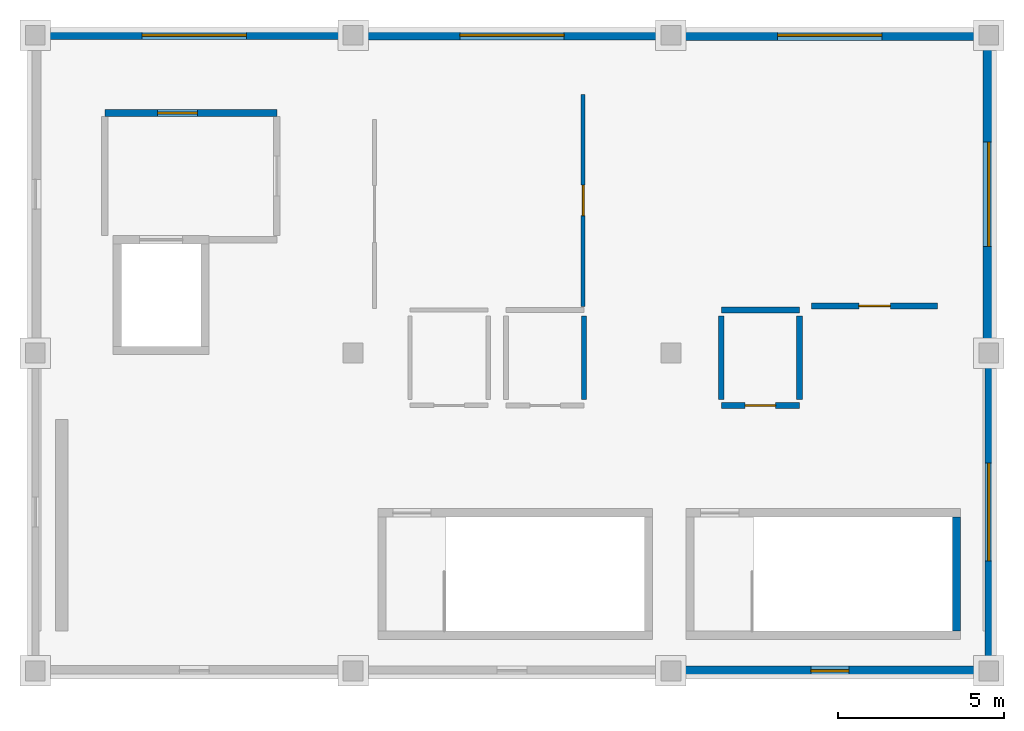
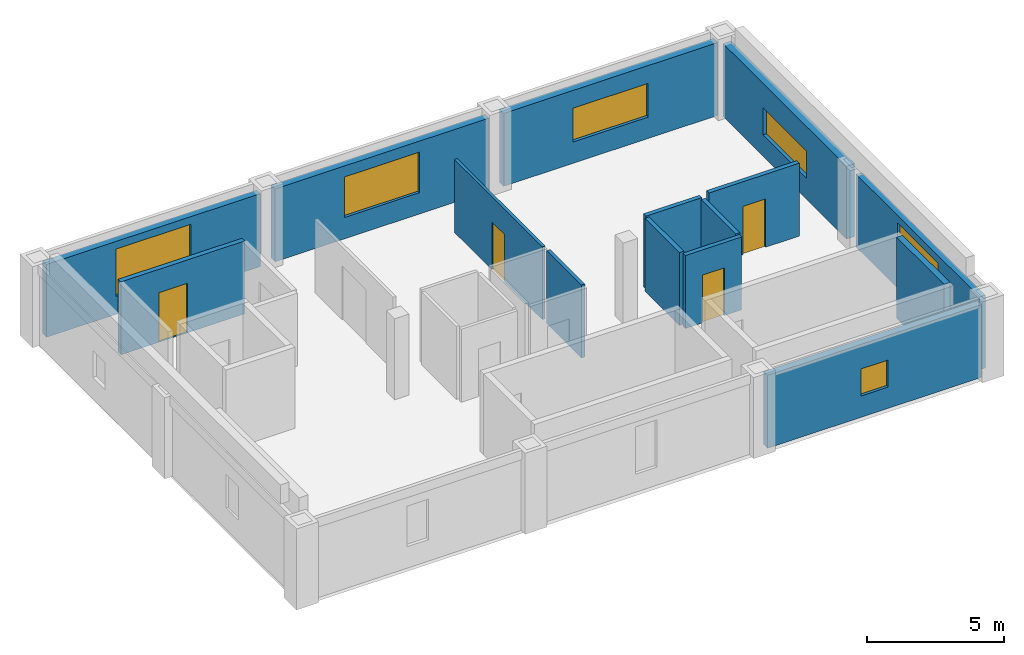
# One storey, part 2 of 3: 15 walls, 6 windows, 4 doors, 10 openings.
"""IFC4 building model written with IfcOpenShell, lengths in metres."""

from ifc_helpers import new_model, si_unit, direction, frame, frame_2d, origin, place, context, subcontext, project, spatial, rectangle, extrude, material, layer, layer_set, type_object, element, fill, save


model = new_model("IFC4")

# Units and contexts
model_context = context("Model", 3, precision=1e-05, world=origin(), true_north=direction((0.0, 1.0)))
body_context = subcontext(model_context, "Body", "Model", "MODEL_VIEW")
ifc_project = project(units=[si_unit("LENGTHUNIT", "METRE"), si_unit("AREAUNIT", "SQUARE_METRE"), si_unit("VOLUMEUNIT", "CUBIC_METRE"), si_unit("PLANEANGLEUNIT", "RADIAN"), si_unit("MASSUNIT", "GRAM", prefix="KILO")], contexts=[model_context])

# Site, building, storey
site_placement = place(None, origin())
site = spatial("IfcSite", under=ifc_project, at=site_placement, CompositionType="ELEMENT")
building_placement = place(site_placement, origin())
building = spatial("IfcBuilding", under=site, at=building_placement, Name="Mavantir Sound Aquarium", CompositionType="ELEMENT")
storey_placement = place(building_placement, frame((0.0, 0.0, 23.39990234375)))
storey = spatial("IfcBuildingStorey", under=building, at=storey_placement, Name="L05", CompositionType="ELEMENT", Elevation=23.39990234375)

# Wall, opening, window
ifc_material_1 = material(Name="Coral-Buff Architectural Precast Concrete C40/50", Category="concrete")
ifc_layer_1 = layer(ifc_material_1, 0.31005859375, Name="Coral-Buff Architectural Precast Concrete C40/50")
ifc_layer_set_1 = layer_set([ifc_layer_1], Name="Coral-Buff Architectural Precast Concrete C40/50")
wall_type_1 = type_object("IfcWallType", Name="EW-CORAL-310", PredefinedType="SOLIDWALL", material=ifc_layer_set_1)
wall_1_placement = place(storey_placement, frame((28.491943359375, 102.800048828125, 0.0), z_axis=(0.0, 0.0, 1.0), x_axis=(-1.0, 0.0, 0.0)))
wall_1 = element("IfcWall", 1, at=wall_1_placement, inside=storey, type_object=wall_type_1, Name="L05 exterior facade wall EW-02 398", PredefinedType="SOLIDWALL", context=body_context, shape_type="SweptSolid", body=[
    extrude(rectangle(XDim=8.98388671875, YDim=0.31005859375, at=frame_2d((4.491943359375, 0.0))), origin(), (0.0, 0.0, 1.0), 3.238525390625),
])
opening_1_placement = place(wall_1_placement, frame((2.9169921875, 0.0, 0.949951171875)))
opening_1 = element("IfcOpeningElement", 2, at=opening_1_placement, cuts=wall_1, Name="Opening W-46", PredefinedType="OPENING", context=body_context, shape_type="SweptSolid", body=[
    extrude(rectangle(XDim=3.14990234375, YDim=1.5, at=frame_2d((1.574951171875, 0.75))), frame((0.0, 0.1650390625, 0.0), z_axis=(0.0, -1.0, 0.0), x_axis=(1.0, 0.0, 0.0)), (0.0, 0.0, 1.0), 0.330078125),
])
ifc_material_2 = material(Name="Thermally Broken Aluminium and Low-E Glass", Category="aluminium")
window_type_1 = type_object("IfcWindowType", Name="WIN-EXT-46", PartitioningType="TRIPLE_PANEL_VERTICAL", PredefinedType="WINDOW", material=ifc_material_2)
window_1_placement = place(opening_1_placement, origin())
window_1 = element("IfcWindow", 3, at=window_1_placement, inside=storey, type_object=window_type_1, Name="L05 facade window W-46 190", OverallHeight=1.5, OverallWidth=3.14990234375, PartitioningType="SINGLE_PANEL", PredefinedType="WINDOW", context=body_context, shape_type="SweptSolid", body=[
    extrude(rectangle(XDim=3.14990234375, YDim=1.5, at=frame_2d((1.574951171875, 0.75))), frame((0.0, 0.030029296875, 0.0), z_axis=(0.0, -1.0, 0.0), x_axis=(1.0, 0.0, 0.0)), (0.0, 0.0, 1.0), 0.06005859375),
])
fill(opening_1, window_1)

ifc_layer_2 = layer(ifc_material_1, 0.340087890625, Name="Coral-Buff Architectural Precast Concrete C40/50")
ifc_layer_set_2 = layer_set([ifc_layer_2], Name="Coral-Buff Architectural Precast Concrete C40/50")
wall_type_2 = type_object("IfcWallType", Name="EW-CORAL-340", PredefinedType="SOLIDWALL", material=ifc_layer_set_2)
wall_2_placement = place(storey_placement, frame((28.800048828125, 93.508056640625, 0.0), z_axis=(0.0, 0.0, 1.0), x_axis=(0.0, 1.0, 0.0)))
wall_2 = element("IfcWall", 4, at=wall_2_placement, inside=storey, type_object=wall_type_2, Name="L05 exterior facade wall EW-01 397", PredefinedType="SOLIDWALL", context=body_context, shape_type="SweptSolid", body=[
    extrude(rectangle(XDim=8.98388671875, YDim=0.340087890625, at=frame_2d((4.491943359375, 0.0))), origin(), (0.0, 0.0, 1.0), 3.238525390625),
])
opening_2_placement = place(wall_2_placement, frame((2.9169921875, 0.0, 0.949951171875)))
opening_2 = element("IfcOpeningElement", 5, at=opening_2_placement, cuts=wall_2, Name="Opening W-45", PredefinedType="OPENING", context=body_context, shape_type="SweptSolid", body=[
    extrude(rectangle(XDim=3.14990234375, YDim=1.199951171875, at=frame_2d((1.574951171875, 0.60009765625))), frame((0.0, 0.18017578125, 0.0), z_axis=(0.0, -1.0, 0.0), x_axis=(1.0, 0.0, 0.0)), (0.0, 0.0, 1.0), 0.360107421875),
])
window_type_2 = type_object("IfcWindowType", Name="WIN-EXT-45", PartitioningType="TRIPLE_PANEL_VERTICAL", PredefinedType="WINDOW", material=ifc_material_2)
window_2_placement = place(opening_2_placement, origin())
window_2 = element("IfcWindow", 6, at=window_2_placement, inside=storey, type_object=window_type_2, Name="L05 facade window W-45 189", OverallHeight=1.199951171875, OverallWidth=3.14990234375, PartitioningType="SINGLE_PANEL", PredefinedType="WINDOW", context=body_context, shape_type="SweptSolid", body=[
    extrude(rectangle(XDim=3.14990234375, YDim=1.199951171875, at=frame_2d((1.574951171875, 0.60009765625))), frame((0.0, 0.030029296875, 0.0), z_axis=(0.0, -1.0, 0.0), x_axis=(1.0, 0.0, 0.0)), (0.0, 0.0, 1.0), 0.06005859375),
])
fill(opening_2, window_2)

ifc_material_3 = material(Name="Architectural Precast Concrete C40/50", Category="concrete")
ifc_layer_3 = layer(ifc_material_3, 0.239990234375, Name="Architectural Precast Concrete C40/50")
ifc_layer_set_3 = layer_set([ifc_layer_3], Name="Architectural Precast Concrete C40/50")
wall_type_3 = type_object("IfcWallType", Name="EW-PRE-240", PredefinedType="SOLIDWALL", material=ifc_layer_set_3)
wall_3_placement = place(storey_placement, frame((28.800048828125, 83.907958984375, 0.0), z_axis=(0.0, 0.0, 1.0), x_axis=(0.0, 1.0, 0.0)))
wall_3 = element("IfcWall", 7, at=wall_3_placement, inside=storey, type_object=wall_type_3, Name="L05 exterior facade wall EW-06 396", PredefinedType="SOLIDWALL", context=body_context, shape_type="SweptSolid", body=[
    extrude(rectangle(XDim=8.984130859375, YDim=0.239990234375, at=frame_2d((4.4921875, 0.0))), origin(), (0.0, 0.0, 1.0), 3.238525390625),
])
opening_3_placement = place(wall_3_placement, frame((3.01708984375, 0.0, 0.800048828125)))
opening_3 = element("IfcOpeningElement", 8, at=opening_3_placement, cuts=wall_3, Name="Opening W-44", PredefinedType="OPENING", context=body_context, shape_type="SweptSolid", body=[
    extrude(rectangle(XDim=2.949951171875, YDim=2.10009765625, at=frame_2d((1.47509765625, 1.050048828125))), frame((0.0, 0.1298828125, 0.0), z_axis=(0.0, -1.0, 0.0), x_axis=(1.0, 0.0, 0.0)), (0.0, 0.0, 1.0), 0.260009765625),
])
window_type_3 = type_object("IfcWindowType", Name="WIN-EXT-44", PartitioningType="TRIPLE_PANEL_VERTICAL", PredefinedType="WINDOW", material=ifc_material_2)
window_3_placement = place(opening_3_placement, origin())
window_3 = element("IfcWindow", 9, at=window_3_placement, inside=storey, type_object=window_type_3, Name="L05 facade window W-44 188", OverallHeight=2.10009765625, OverallWidth=2.949951171875, PartitioningType="SINGLE_PANEL", PredefinedType="WINDOW", context=body_context, shape_type="SweptSolid", body=[
    extrude(rectangle(XDim=2.949951171875, YDim=2.10009765625, at=frame_2d((1.47509765625, 1.050048828125))), frame((0.0, 0.030029296875, 0.0), z_axis=(0.0, -1.0, 0.0), x_axis=(1.0, 0.0, 0.0)), (0.0, 0.0, 1.0), 0.06005859375),
])
fill(opening_3, window_3)

ifc_material_4 = material(Name="Cerulean Glazed Terracotta Rainscreen on Concrete C40/50", Category="masonry")
ifc_layer_4 = layer(ifc_material_4, 0.27001953125, Name="Cerulean Glazed Terracotta Rainscreen on Concrete C40/50")
ifc_layer_set_4 = layer_set([ifc_layer_4], Name="Cerulean Glazed Terracotta Rainscreen on Concrete C40/50")
wall_type_4 = type_object("IfcWallType", Name="EW-TERRA-270", PredefinedType="SOLIDWALL", material=ifc_layer_set_4)
wall_4_placement = place(storey_placement, frame((9.2919921875, 102.800048828125, 0.0), z_axis=(0.0, 0.0, 1.0), x_axis=(-1.0, 0.0, 0.0)))
wall_4 = element("IfcWall", 10, at=wall_4_placement, inside=storey, type_object=wall_type_4, Name="L05 exterior facade wall EW-04 400", PredefinedType="SOLIDWALL", context=body_context, shape_type="SweptSolid", body=[
    extrude(rectangle(XDim=8.98388671875, YDim=0.27001953125, at=frame_2d((4.491943359375, 0.0))), origin(), (0.0, 0.0, 1.0), 3.238525390625),
])
opening_4_placement = place(wall_4_placement, frame((2.9169921875, 0.0, 0.800048828125)))
opening_4 = element("IfcOpeningElement", 11, at=opening_4_placement, cuts=wall_4, Name="Opening W-48", PredefinedType="OPENING", context=body_context, shape_type="SweptSolid", body=[
    extrude(rectangle(XDim=3.14990234375, YDim=2.10009765625, at=frame_2d((1.574951171875, 1.050048828125))), frame((0.0, 0.14501953125, 0.0), z_axis=(0.0, -1.0, 0.0), x_axis=(1.0, 0.0, 0.0)), (0.0, 0.0, 1.0), 0.2900390625),
])
window_type_4 = type_object("IfcWindowType", Name="WIN-EXT-48", PartitioningType="TRIPLE_PANEL_VERTICAL", PredefinedType="WINDOW", material=ifc_material_2)
window_4_placement = place(opening_4_placement, origin())
window_4 = element("IfcWindow", 12, at=window_4_placement, inside=storey, type_object=window_type_4, Name="L05 facade window W-48 192", OverallHeight=2.10009765625, OverallWidth=3.14990234375, PartitioningType="SINGLE_PANEL", PredefinedType="WINDOW", context=body_context, shape_type="SweptSolid", body=[
    extrude(rectangle(XDim=3.14990234375, YDim=2.10009765625, at=frame_2d((1.574951171875, 1.050048828125))), frame((0.0, 0.030029296875, 0.0), z_axis=(0.0, -1.0, 0.0), x_axis=(1.0, 0.0, 0.0)), (0.0, 0.0, 1.0), 0.06005859375),
])
fill(opening_4, window_4)

ifc_material_5 = material(Name="Turquoise Glazed Terracotta Rainscreen on Concrete C40/50", Category="masonry")
ifc_layer_5 = layer(ifc_material_5, 0.2900390625, Name="Turquoise Glazed Terracotta Rainscreen on Concrete C40/50")
ifc_layer_set_5 = layer_set([ifc_layer_5], Name="Turquoise Glazed Terracotta Rainscreen on Concrete C40/50")
wall_type_5 = type_object("IfcWallType", Name="EW-TERRA-290", PredefinedType="SOLIDWALL", material=ifc_layer_set_5)
wall_5_placement = place(storey_placement, frame((18.89208984375, 102.800048828125, 0.0), z_axis=(0.0, 0.0, 1.0), x_axis=(-1.0, 0.0, 0.0)))
wall_5 = element("IfcWall", 13, at=wall_5_placement, inside=storey, type_object=wall_type_5, Name="L05 exterior facade wall EW-03 399", PredefinedType="SOLIDWALL", context=body_context, shape_type="SweptSolid", body=[
    extrude(rectangle(XDim=8.984130859375, YDim=0.2900390625, at=frame_2d((4.4921875, 0.0))), origin(), (0.0, 0.0, 1.0), 3.238525390625),
])
opening_5_placement = place(wall_5_placement, frame((2.9169921875, 0.0, 0.949951171875)))
opening_5 = element("IfcOpeningElement", 14, at=opening_5_placement, cuts=wall_5, Name="Opening W-47", PredefinedType="OPENING", context=body_context, shape_type="SweptSolid", body=[
    extrude(rectangle(XDim=3.14990234375, YDim=1.800048828125, at=frame_2d((1.574951171875, 0.89990234375))), frame((0.0, 0.155029296875, 0.0), z_axis=(0.0, -1.0, 0.0), x_axis=(1.0, 0.0, 0.0)), (0.0, 0.0, 1.0), 0.31005859375),
])
window_type_5 = type_object("IfcWindowType", Name="WIN-EXT-47", PartitioningType="TRIPLE_PANEL_VERTICAL", PredefinedType="WINDOW", material=ifc_material_2)
window_5_placement = place(opening_5_placement, origin())
window_5 = element("IfcWindow", 15, at=window_5_placement, inside=storey, type_object=window_type_5, Name="L05 facade window W-47 191", OverallHeight=1.800048828125, OverallWidth=3.14990234375, PartitioningType="SINGLE_PANEL", PredefinedType="WINDOW", context=body_context, shape_type="SweptSolid", body=[
    extrude(rectangle(XDim=3.14990234375, YDim=1.800048828125, at=frame_2d((1.574951171875, 0.89990234375))), frame((0.0, 0.030029296875, 0.0), z_axis=(0.0, -1.0, 0.0), x_axis=(1.0, 0.0, 0.0)), (0.0, 0.0, 1.0), 0.06005859375),
])
fill(opening_5, window_5)

wall_6_placement = place(storey_placement, frame((19.508056640625, 83.60009765625, 0.0), z_axis=(0.0, 0.0, 1.0), x_axis=(1.0, 0.0, 0.0)))
wall_6 = element("IfcWall", 16, at=wall_6_placement, inside=storey, type_object=wall_type_5, Name="L05 exterior facade wall EW-03 405", PredefinedType="SOLIDWALL", context=body_context, shape_type="SweptSolid", body=[
    extrude(rectangle(XDim=8.98388671875, YDim=0.2900390625, at=frame_2d((4.491943359375, 0.0))), origin(), (0.0, 0.0, 1.0), 3.238525390625),
])
opening_6_placement = place(wall_6_placement, frame((3.9169921875, 0.0, 0.949951171875)))
opening_6 = element("IfcOpeningElement", 17, at=opening_6_placement, cuts=wall_6, Name="Opening W-05", PredefinedType="OPENING", context=body_context, shape_type="SweptSolid", body=[
    extrude(rectangle(XDim=1.14990234375, YDim=1.199951171875, at=frame_2d((0.574951171875, 0.60009765625))), frame((0.0, 0.155029296875, 0.0), z_axis=(0.0, -1.0, 0.0), x_axis=(1.0, 0.0, 0.0)), (0.0, 0.0, 1.0), 0.31005859375),
])
window_type_6 = type_object("IfcWindowType", Name="WIN-EXT-05", PartitioningType="SINGLE_PANEL", PredefinedType="WINDOW", material=ifc_material_2)
window_6_placement = place(opening_6_placement, origin())
window_6 = element("IfcWindow", 18, at=window_6_placement, inside=storey, type_object=window_type_6, Name="L05 facade window W-05 197", OverallHeight=1.199951171875, OverallWidth=1.14990234375, PartitioningType="SINGLE_PANEL", PredefinedType="WINDOW", context=body_context, shape_type="SweptSolid", body=[
    extrude(rectangle(XDim=1.14990234375, YDim=1.199951171875, at=frame_2d((0.574951171875, 0.60009765625))), frame((0.0, 0.030029296875, 0.0), z_axis=(0.0, -1.0, 0.0), x_axis=(1.0, 0.0, 0.0)), (0.0, 0.0, 1.0), 0.06005859375),
])
fill(opening_6, window_6)

# Wall, opening, door
ifc_material_6 = material(Name="Concrete C40/50", Category="concrete")
ifc_layer_6 = layer(ifc_material_6, 0.199951171875, Name="Concrete C40/50")
ifc_layer_set_6 = layer_set([ifc_layer_6], Name="Concrete C40/50")
wall_type_6 = type_object("IfcWallType", Name="IW-FFL-200", PredefinedType="PARTITIONING", material=ifc_layer_set_6)
wall_7_placement = place(storey_placement, frame((2.10009765625, 100.449951171875, 0.0), z_axis=(0.0, 0.0, 1.0), x_axis=(1.0, 0.0, 0.0)))
wall_7 = element("IfcWall", 19, at=wall_7_placement, inside=storey, type_object=wall_type_6, Name="L05 firefighting lift lobby LC2 wall N", PredefinedType="PARTITIONING", context=body_context, shape_type="SweptSolid", body=[
    extrude(rectangle(XDim=5.199951171875, YDim=0.199951171875, at=frame_2d((2.60009765625, 0.0))), origin(), (0.0, 0.0, 1.0), 3.239990234375),
])
opening_7_placement = place(wall_7_placement, frame((1.60009765625, 0.0, 0.0)))
opening_7 = element("IfcOpeningElement", 20, at=opening_7_placement, cuts=wall_7, Name="Opening FD-01", PredefinedType="OPENING", context=body_context, shape_type="SweptSolid", body=[
    extrude(rectangle(XDim=1.199951171875, YDim=2.199951171875, at=frame_2d((0.60009765625, 1.10009765625))), frame((0.0, 0.10986328125, 0.0), z_axis=(0.0, -1.0, 0.0), x_axis=(1.0, 0.0, 0.0)), (0.0, 0.0, 1.0), 0.219970703125),
])
ifc_material_7 = material(Name="Fire-Rated Steel Lobby Door Leaf", Category="steel")
door_type_1 = type_object("IfcDoorType", Name="DR-FFL-120", OperationType="NOTDEFINED", PredefinedType="DOOR", material=ifc_material_7)
door_1_placement = place(opening_7_placement, origin())
door_1 = element("IfcDoor", 21, at=door_1_placement, inside=storey, type_object=door_type_1, Name="L05 firefighting lobby LC2 accommodation door", OperationType="SINGLE_SWING_LEFT", OverallHeight=2.199951171875, OverallWidth=1.199951171875, PredefinedType="DOOR", context=body_context, shape_type="SweptSolid", body=[
    extrude(rectangle(XDim=1.199951171875, YDim=2.199951171875, at=frame_2d((0.60009765625, 1.10009765625))), frame((0.0, 0.02490234375, 0.0), z_axis=(0.0, -1.0, 0.0), x_axis=(1.0, 0.0, 0.0)), (0.0, 0.0, 1.0), 0.050048828125),
])
fill(opening_7, door_1)

ifc_material_8 = material(Name="Lightweight Partition Framing", Category="gypsum")
ifc_layer_7 = layer(ifc_material_8, 0.1201171875, Name="Lightweight Partition Framing")
ifc_layer_set_7 = layer_set([ifc_layer_7], Name="Lightweight Partition Framing")
wall_type_7 = type_object("IfcWallType", Name="IW-PART-120", PredefinedType="PARTITIONING", material=ifc_layer_set_7)
wall_8_placement = place(storey_placement, frame((16.550048828125, 94.614013671875, 0.0), z_axis=(0.0, 0.0, 1.0), x_axis=(0.0, 1.0, 0.0)))
wall_8 = element("IfcWall", 22, at=wall_8_placement, inside=storey, type_object=wall_type_7, Name="L05 Marine Pelagic Fellowship Seminar Room entry partition", PredefinedType="PARTITIONING", context=body_context, shape_type="SweptSolid", body=[
    extrude(rectangle(XDim=6.39990234375, YDim=0.1201171875, at=frame_2d((3.199951171875, 0.0))), origin(), (0.0, 0.0, 1.0), 3.239990234375),
])
opening_8_placement = place(wall_8_placement, frame((2.739990234375, 0.0, 0.0)))
opening_8 = element("IfcOpeningElement", 23, at=opening_8_placement, cuts=wall_8, Name="Opening ID-01", PredefinedType="OPENING", context=body_context, shape_type="SweptSolid", body=[
    extrude(rectangle(XDim=0.919921875, YDim=2.1201171875, at=frame_2d((0.4599609375, 1.06005859375))), frame((0.0, 0.070068359375, 0.0), z_axis=(0.0, -1.0, 0.0), x_axis=(1.0, 0.0, 0.0)), (0.0, 0.0, 1.0), 0.14013671875),
])
ifc_material_9 = material(Name="Solid-Core Marine Hardwood and Vision-Panel Door", Category="wood")
door_type_2 = type_object("IfcDoorType", Name="DR-INT-01", OperationType="NOTDEFINED", PredefinedType="DOOR", material=ifc_material_9)
door_2_placement = place(opening_8_placement, origin())
door_2 = element("IfcDoor", 24, at=door_2_placement, inside=storey, type_object=door_type_2, Name="Marine Pelagic Fellowship Seminar Room door", OperationType="SINGLE_SWING_LEFT", OverallHeight=2.1201171875, OverallWidth=0.919921875, PredefinedType="DOOR", context=body_context, shape_type="SweptSolid", body=[
    extrude(rectangle(XDim=0.919921875, YDim=2.1201171875, at=frame_2d((0.4599609375, 1.06005859375))), frame((0.0, 0.02490234375, 0.0), z_axis=(0.0, -1.0, 0.0), x_axis=(1.0, 0.0, 0.0)), (0.0, 0.0, 1.0), 0.050048828125),
])
fill(opening_8, door_2)

# Walls
ifc_material_10 = material(Name="Moisture-Resistant Marine Gypsum Partition", Category="gypsum")
ifc_layer_8 = layer(ifc_material_10, 0.14990234375, Name="Moisture-Resistant Marine Gypsum Partition")
ifc_layer_set_8 = layer_set([ifc_layer_8], Name="Moisture-Resistant Marine Gypsum Partition")
wall_type_8 = type_object("IfcWallType", Name="IW-PART-150", PredefinedType="PARTITIONING", material=ifc_layer_set_8)
wall_9_placement = place(storey_placement, frame((16.580078125, 91.800048828125, 0.0), z_axis=(0.0, 0.0, 1.0), x_axis=(0.0, 1.0, 0.0)))
element("IfcWall", 25, at=wall_9_placement, inside=storey, type_object=wall_type_8, Name="L05 L05 Womens WC partition E", PredefinedType="PARTITIONING", context=body_context, shape_type="SweptSolid", body=[
    extrude(rectangle(XDim=2.52001953125, YDim=0.14990234375, at=frame_2d((1.260009765625, 0.0))), origin(), (0.0, 0.0, 1.0), 3.239990234375),
])
ifc_material_11 = material(Name="Acoustic Metal-Stud Gypsum Partition", Category="gypsum")
ifc_layer_9 = layer(ifc_material_11, 0.179931640625, Name="Acoustic Metal-Stud Gypsum Partition")
ifc_layer_set_9 = layer_set([ifc_layer_9], Name="Acoustic Metal-Stud Gypsum Partition")
wall_type_9 = type_object("IfcWallType", Name="IW-PART-180", PredefinedType="PARTITIONING", material=ifc_layer_set_9)
wall_10_placement = place(storey_placement, frame((20.719970703125, 94.5, 0.0), z_axis=(0.0, 0.0, 1.0), x_axis=(1.0, 0.0, 0.0)))
element("IfcWall", 26, at=wall_10_placement, inside=storey, type_object=wall_type_9, Name="L05 L05 Accessible WC partition N", PredefinedType="PARTITIONING", context=body_context, shape_type="SweptSolid", body=[
    extrude(rectangle(XDim=2.360107421875, YDim=0.179931640625, at=frame_2d((1.18017578125, 0.0))), origin(), (0.0, 0.0, 1.0), 3.239990234375),
])

# Wall, opening, door
wall_11_placement = place(storey_placement, frame((20.719970703125, 91.6201171875, 0.0), z_axis=(0.0, 0.0, 1.0), x_axis=(1.0, 0.0, 0.0)))
wall_11 = element("IfcWall", 27, at=wall_11_placement, inside=storey, type_object=wall_type_9, Name="L05 L05 Accessible WC partition S", PredefinedType="PARTITIONING", context=body_context, shape_type="SweptSolid", body=[
    extrude(rectangle(XDim=2.360107421875, YDim=0.179931640625, at=frame_2d((1.18017578125, 0.0))), origin(), (0.0, 0.0, 1.0), 3.239990234375),
])
opening_9_placement = place(wall_11_placement, frame((0.719970703125, 0.0, 0.0)))
opening_9 = element("IfcOpeningElement", 28, at=opening_9_placement, cuts=wall_11, Name="Opening ID-01", PredefinedType="OPENING", context=body_context, shape_type="SweptSolid", body=[
    extrude(rectangle(XDim=0.919921875, YDim=2.1201171875, at=frame_2d((0.4599609375, 1.06005859375))), frame((0.0, 0.10009765625, 0.0), z_axis=(0.0, -1.0, 0.0), x_axis=(1.0, 0.0, 0.0)), (0.0, 0.0, 1.0), 0.199951171875),
])
door_3_placement = place(opening_9_placement, origin())
door_3 = element("IfcDoor", 29, at=door_3_placement, inside=storey, type_object=door_type_2, Name="L05 Accessible WC entrance door", OperationType="SINGLE_SWING_LEFT", OverallHeight=2.1201171875, OverallWidth=0.919921875, PredefinedType="DOOR", context=body_context, shape_type="SweptSolid", body=[
    extrude(rectangle(XDim=0.919921875, YDim=2.1201171875, at=frame_2d((0.4599609375, 1.06005859375))), frame((0.0, 0.02490234375, 0.0), z_axis=(0.0, -1.0, 0.0), x_axis=(1.0, 0.0, 0.0)), (0.0, 0.0, 1.0), 0.050048828125),
])
fill(opening_9, door_3)

# Walls
for number, where, z_axis, x_axis, name in (
    (30, (20.719970703125, 91.800048828125, 0.0), (0.0, 0.0, 1.0), (0.0, 1.0, 0.0), "L05 L05 Accessible WC partition W"),
    (31, (23.080078125, 91.800048828125, 0.0), (0.0, 0.0, 1.0), (0.0, 1.0, 0.0), "L05 L05 Accessible WC partition E"),
):
    element("IfcWall", number, at=place(storey_placement, frame(where, z_axis=z_axis, x_axis=x_axis)), inside=storey, type_object=wall_type_9, Name=name, PredefinedType="PARTITIONING", context=body_context, shape_type="SweptSolid", body=[
        extrude(rectangle(XDim=2.52001953125, YDim=0.179931640625, at=frame_2d((1.260009765625, 0.0))), origin(), (0.0, 0.0, 1.0), 3.239990234375),
    ])

# Wall, opening, door
wall_12_placement = place(storey_placement, frame((23.449951171875, 94.625, 0.0), z_axis=(0.0, 0.0, 1.0), x_axis=(1.0, 0.0, 0.0)))
wall_12 = element("IfcWall", 32, at=wall_12_placement, inside=storey, type_object=wall_type_9, Name="L05 Oceanographic Specimen Archive and Chart Room entry partition", PredefinedType="PARTITIONING", context=body_context, shape_type="SweptSolid", body=[
    extrude(rectangle(XDim=3.800048828125, YDim=0.179931640625, at=frame_2d((1.89990234375, 0.0))), origin(), (0.0, 0.0, 1.0), 3.239990234375),
])
opening_10_placement = place(wall_12_placement, frame((1.425048828125, 0.0, 0.0)))
opening_10 = element("IfcOpeningElement", 33, at=opening_10_placement, cuts=wall_12, Name="Opening ID-02", PredefinedType="OPENING", context=body_context, shape_type="SweptSolid", body=[
    extrude(rectangle(XDim=0.949951171875, YDim=2.14990234375, at=frame_2d((0.47509765625, 1.074951171875))), frame((0.0, 0.10009765625, 0.0), z_axis=(0.0, -1.0, 0.0), x_axis=(1.0, 0.0, 0.0)), (0.0, 0.0, 1.0), 0.199951171875),
])
door_type_3 = type_object("IfcDoorType", Name="DR-INT-02", OperationType="NOTDEFINED", PredefinedType="DOOR", material=ifc_material_9)
door_4_placement = place(opening_10_placement, origin())
door_4 = element("IfcDoor", 34, at=door_4_placement, inside=storey, type_object=door_type_3, Name="Oceanographic Specimen Archive and Chart Room door", OperationType="SINGLE_SWING_RIGHT", OverallHeight=2.14990234375, OverallWidth=0.949951171875, PredefinedType="DOOR", context=body_context, shape_type="SweptSolid", body=[
    extrude(rectangle(XDim=0.949951171875, YDim=2.14990234375, at=frame_2d((0.47509765625, 1.074951171875))), frame((0.0, 0.02490234375, 0.0), z_axis=(0.0, -1.0, 0.0), x_axis=(1.0, 0.0, 0.0)), (0.0, 0.0, 1.0), 0.050048828125),
])
fill(opening_10, door_4)

# Wall
ifc_layer_10 = layer(ifc_material_6, 0.25, Name="Concrete C40/50")
ifc_layer_set_10 = layer_set([ifc_layer_10], Name="Concrete C40/50")
wall_type_10 = type_object("IfcWallType", Name="IW-SHAFT-250", PredefinedType="SHEAR", material=ifc_layer_set_10)
wall_13_placement = place(storey_placement, frame((27.824951171875, 84.800048828125, 0.0), z_axis=(0.0, 0.0, 1.0), x_axis=(0.0, 1.0, 0.0)))
element("IfcWall", 35, at=wall_13_placement, inside=storey, type_object=wall_type_10, Name="L05 stair ST7 shaft wall E", PredefinedType="SHEAR", context=body_context, shape_type="SweptSolid", body=[
    extrude(rectangle(XDim=3.449951171875, YDim=0.25, at=frame_2d((1.72509765625, 0.0))), origin(), (0.0, 0.0, 1.0), 3.60009765625),
])

save(model, "model.ifc")
